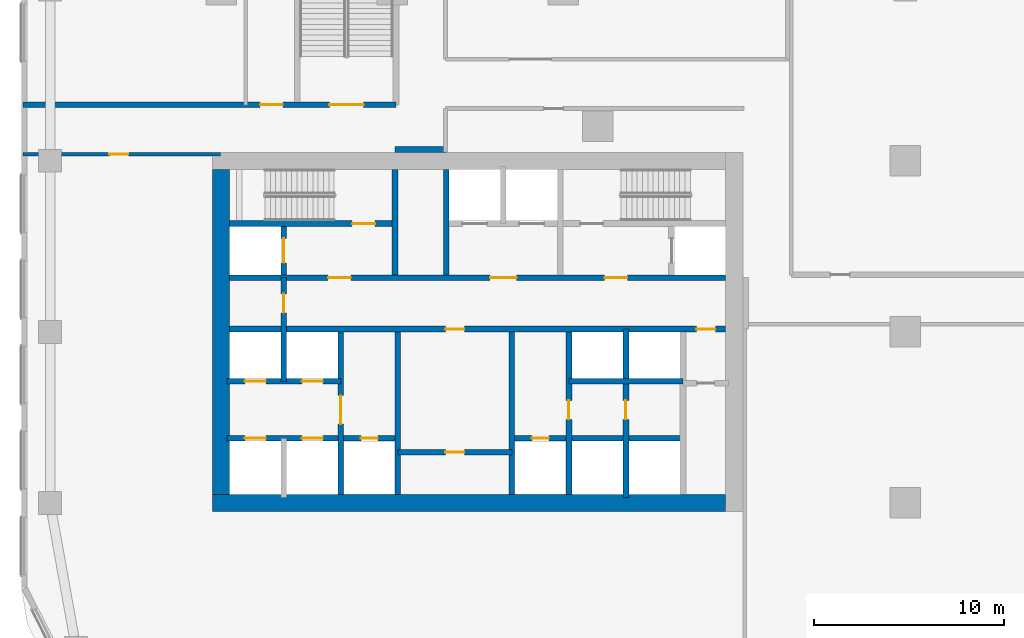
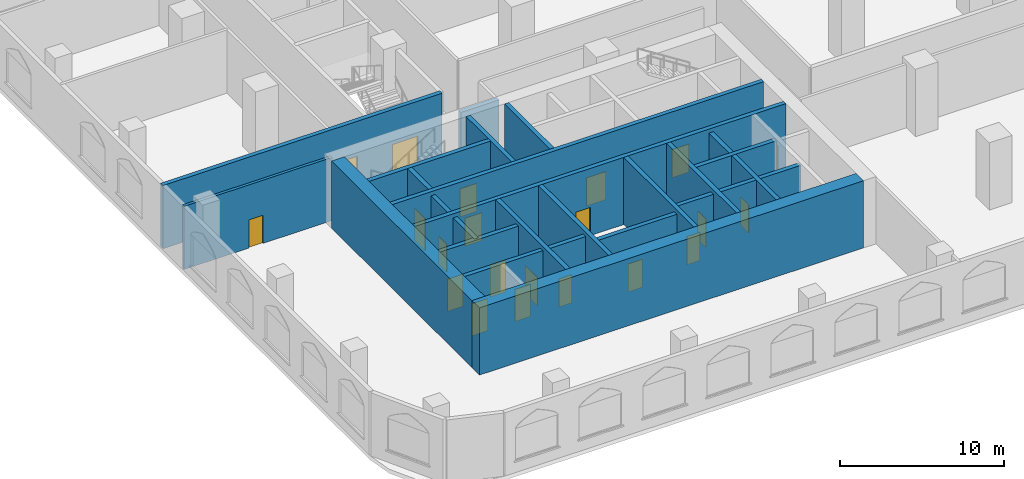
# One storey, part 3 of 31: 22 walls, 21 doors, 21 openings.
"""IFC4 building model written with IfcOpenShell, lengths in metres."""

from ifc_helpers import new_model, si_unit, direction, frame, frame_2d, origin, place, context, subcontext, project, spatial, rectangle, extrude, material, layer, layer_set, type_object, element, fill, save


model = new_model("IFC4")

# Units and contexts
model_context = context("Model", 3, precision=1e-05, world=origin(), true_north=direction((0.0, 1.0)))
body_context = subcontext(model_context, "Body", "Model", "MODEL_VIEW")
ifc_project = project(units=[si_unit("LENGTHUNIT", "METRE"), si_unit("AREAUNIT", "SQUARE_METRE"), si_unit("VOLUMEUNIT", "CUBIC_METRE"), si_unit("PLANEANGLEUNIT", "RADIAN"), si_unit("MASSUNIT", "GRAM", prefix="KILO")], contexts=[model_context])

# Site, building, storey
site_placement = place(None, origin())
site = spatial("IfcSite", under=ifc_project, at=site_placement, CompositionType="ELEMENT")
building_placement = place(site_placement, origin())
building = spatial("IfcBuilding", under=site, at=building_placement, Name="Ogive Portal Towers", CompositionType="ELEMENT")
storey_placement = place(building_placement, frame((0.0, 0.0, 13.5)))
storey = spatial("IfcBuildingStorey", under=building, at=storey_placement, Name="L02", CompositionType="ELEMENT", Elevation=13.5)

# Wall, opening, door
ifc_material_1 = material(Name="Concrete C60/75", Category="concrete")
ifc_layer_1 = layer(ifc_material_1, 0.300048828125)
ifc_layer_set_1 = layer_set([ifc_layer_1], Name="CORE WALL 300 C60")
wall_type_1 = type_object("IfcWallType", Name="CORE WALL 300 C60", PredefinedType="SHEAR", material=ifc_layer_set_1)
wall_1_placement = place(storey_placement, frame((37.800048828125, 21.949951171875, 0.0), z_axis=(0.0, 0.0, 1.0), x_axis=(0.0, 1.0, 0.0)))
wall_1 = element("IfcWall", 1, at=wall_1_placement, inside=storey, type_object=wall_type_1, Name="Core wall X1 L02", PredefinedType="SHEAR", context=body_context, shape_type="SweptSolid", body=[
    extrude(rectangle(XDim=8.550048828125, YDim=0.300048828125, at=frame_2d((4.27490234375, 0.0))), origin(), (0.0, 0.0, 1.0), 5.0),
])
opening_1_placement = place(wall_1_placement, frame((3.699951171875, 0.0, 0.0)))
opening_1 = element("IfcOpeningElement", 2, at=opening_1_placement, cuts=wall_1, Name="Opening D104-001", PredefinedType="OPENING", context=body_context, shape_type="SweptSolid", body=[
    extrude(rectangle(XDim=1.5, YDim=2.10009765625, at=frame_2d((0.75, 1.050048828125))), frame((0.0, 0.16015625, 0.0), z_axis=(0.0, -1.0, 0.0), x_axis=(1.0, 0.0, 0.0)), (0.0, 0.0, 1.0), 0.320068359375),
])
ifc_material_2 = material(Name="Steel fire door", Category="steel")
door_type_1 = type_object("IfcDoorType", Name="DT-SWING-1500x2100-FD90S", OperationType="SINGLE_SWING_LEFT", PredefinedType="DOOR", material=ifc_material_2)
door_1_placement = place(opening_1_placement, origin())
door_1 = element("IfcDoor", 3, at=door_1_placement, inside=storey, type_object=door_type_1, Name="Door D104-001", OperationType="SINGLE_SWING_LEFT", OverallHeight=2.10009765625, OverallWidth=1.5, PredefinedType="DOOR", context=body_context, shape_type="SweptSolid", body=[
    extrude(rectangle(XDim=1.5, YDim=2.10009765625, at=frame_2d((0.75, 1.050048828125))), frame((0.0, 0.02490234375, 0.0), z_axis=(0.0, -1.0, 0.0), x_axis=(1.0, 0.0, 0.0)), (0.0, 0.0, 1.0), 0.050048828125),
])
fill(opening_1, door_1)

# Walls
for number, where, z_axis, x_axis, name in (
    (4, (40.800048828125, 21.949951171875, 0.0), (0.0, 0.0, 1.0), (0.0, 1.0, 0.0), "Core wall X2 L02"),
    (5, (46.800048828125, 21.949951171875, 0.0), (0.0, 0.0, 1.0), (0.0, 1.0, 0.0), "Core wall X3 L02"),
):
    element("IfcWall", number, at=place(storey_placement, frame(where, z_axis=z_axis, x_axis=x_axis)), inside=storey, type_object=wall_type_1, Name=name, PredefinedType="SHEAR", context=body_context, shape_type="SweptSolid", body=[
        extrude(rectangle(XDim=8.550048828125, YDim=0.300048828125, at=frame_2d((4.27490234375, 0.0))), origin(), (0.0, 0.0, 1.0), 5.0),
    ])

# Wall, opening, door
wall_2_placement = place(storey_placement, frame((49.800048828125, 21.949951171875, 0.0), z_axis=(0.0, 0.0, 1.0), x_axis=(0.0, 1.0, 0.0)))
wall_2 = element("IfcWall", 6, at=wall_2_placement, inside=storey, type_object=wall_type_1, Name="Core wall X4 L02", PredefinedType="SHEAR", context=body_context, shape_type="SweptSolid", body=[
    extrude(rectangle(XDim=8.550048828125, YDim=0.300048828125, at=frame_2d((4.27490234375, 0.0))), origin(), (0.0, 0.0, 1.0), 5.0),
])
opening_2_placement = place(wall_2_placement, frame((3.949951171875, 0.0, 0.0)))
opening_2 = element("IfcOpeningElement", 7, at=opening_2_placement, cuts=wall_2, Name="Opening D104-021", PredefinedType="OPENING", context=body_context, shape_type="SweptSolid", body=[
    extrude(rectangle(XDim=1.0, YDim=2.10009765625, at=frame_2d((0.5, 1.050048828125))), frame((0.0, 0.16015625, 0.0), z_axis=(0.0, -1.0, 0.0), x_axis=(1.0, 0.0, 0.0)), (0.0, 0.0, 1.0), 0.320068359375),
])
door_type_2 = type_object("IfcDoorType", Name="DT-SWING-1000x2100-FD90S", OperationType="SINGLE_SWING_LEFT", PredefinedType="DOOR", material=ifc_material_2)
door_2_placement = place(opening_2_placement, origin())
door_2 = element("IfcDoor", 8, at=door_2_placement, inside=storey, type_object=door_type_2, Name="Door D104-021", OperationType="SINGLE_SWING_LEFT", OverallHeight=2.10009765625, OverallWidth=1.0, PredefinedType="DOOR", context=body_context, shape_type="SweptSolid", body=[
    extrude(rectangle(XDim=1.0, YDim=2.10009765625, at=frame_2d((0.5, 1.050048828125))), frame((0.0, 0.02490234375, 0.0), z_axis=(0.0, -1.0, 0.0), x_axis=(1.0, 0.0, 0.0)), (0.0, 0.0, 1.0), 0.050048828125),
])
fill(opening_2, door_2)

# Wall, openings, doors
wall_3_placement = place(storey_placement, frame((31.949951171875, 30.64990234375, 0.0), z_axis=(0.0, 0.0, 1.0), x_axis=(1.0, 0.0, 0.0)))
wall_3 = element("IfcWall", 9, at=wall_3_placement, inside=storey, type_object=wall_type_1, Name="Core wall Y1 L02", PredefinedType="SHEAR", context=body_context, shape_type="SweptSolid", body=[
    extrude(rectangle(XDim=26.10009765625, YDim=0.300048828125, at=frame_2d((13.050048828125, 0.0))), origin(), (0.0, 0.0, 1.0), 5.0),
])
opening_3_placement = place(wall_3_placement, frame((24.550048828125, 0.0, 0.0)))
opening_3 = element("IfcOpeningElement", 10, at=opening_3_placement, cuts=wall_3, Name="Opening D104-009", PredefinedType="OPENING", context=body_context, shape_type="SweptSolid", body=[
    extrude(rectangle(XDim=1.0, YDim=2.10009765625, at=frame_2d((0.5, 1.050048828125))), frame((0.0, 0.16015625, 0.0), z_axis=(0.0, -1.0, 0.0), x_axis=(1.0, 0.0, 0.0)), (0.0, 0.0, 1.0), 0.320068359375),
])
opening_4_placement = place(wall_3_placement, frame((11.35009765625, 0.0, 0.0)))
opening_4 = element("IfcOpeningElement", 11, at=opening_4_placement, cuts=wall_3, Name="Opening D104-019", PredefinedType="OPENING", context=body_context, shape_type="SweptSolid", body=[
    extrude(rectangle(XDim=1.0, YDim=2.10009765625, at=frame_2d((0.5, 1.050048828125))), frame((0.0, 0.16015625, 0.0), z_axis=(0.0, -1.0, 0.0), x_axis=(1.0, 0.0, 0.0)), (0.0, 0.0, 1.0), 0.320068359375),
])
door_3_placement = place(opening_3_placement, origin())
door_3 = element("IfcDoor", 12, at=door_3_placement, inside=storey, type_object=door_type_2, Name="Door D104-009", OperationType="SINGLE_SWING_LEFT", OverallHeight=2.10009765625, OverallWidth=1.0, PredefinedType="DOOR", context=body_context, shape_type="SweptSolid", body=[
    extrude(rectangle(XDim=1.0, YDim=2.10009765625, at=frame_2d((0.5, 1.050048828125))), frame((0.0, 0.02490234375, 0.0), z_axis=(0.0, -1.0, 0.0), x_axis=(1.0, 0.0, 0.0)), (0.0, 0.0, 1.0), 0.050048828125),
])
fill(opening_3, door_3)
door_4_placement = place(opening_4_placement, origin())
door_4 = element("IfcDoor", 13, at=door_4_placement, inside=storey, type_object=door_type_2, Name="Door D104-019", OperationType="SINGLE_SWING_LEFT", OverallHeight=2.10009765625, OverallWidth=1.0, PredefinedType="DOOR", context=body_context, shape_type="SweptSolid", body=[
    extrude(rectangle(XDim=1.0, YDim=2.10009765625, at=frame_2d((0.5, 1.050048828125))), frame((0.0, 0.02490234375, 0.0), z_axis=(0.0, -1.0, 0.0), x_axis=(1.0, 0.0, 0.0)), (0.0, 0.0, 1.0), 0.050048828125),
])
fill(opening_4, door_4)

wall_4_placement = place(storey_placement, frame((31.949951171875, 33.35009765625, 0.0), z_axis=(0.0, 0.0, 1.0), x_axis=(1.0, 0.0, 0.0)))
wall_4 = element("IfcWall", 14, at=wall_4_placement, inside=storey, type_object=wall_type_1, Name="Core wall Y2 L02", PredefinedType="SHEAR", context=body_context, shape_type="SweptSolid", body=[
    extrude(rectangle(XDim=26.10009765625, YDim=0.300048828125, at=frame_2d((13.050048828125, 0.0))), origin(), (0.0, 0.0, 1.0), 5.0),
])
opening_5_placement = place(wall_4_placement, frame((13.699951171875, 0.0, 0.0)))
opening_5 = element("IfcOpeningElement", 15, at=opening_5_placement, cuts=wall_4, Name="Opening D104-002", PredefinedType="OPENING", context=body_context, shape_type="SweptSolid", body=[
    extrude(rectangle(XDim=1.39990234375, YDim=2.10009765625, at=frame_2d((0.699951171875, 1.050048828125))), frame((0.0, 0.16015625, 0.0), z_axis=(0.0, -1.0, 0.0), x_axis=(1.0, 0.0, 0.0)), (0.0, 0.0, 1.0), 0.320068359375),
])
opening_6_placement = place(wall_4_placement, frame((5.175048828125, 0.0, 0.0)))
opening_6 = element("IfcOpeningElement", 16, at=opening_6_placement, cuts=wall_4, Name="Opening D104-003", PredefinedType="OPENING", context=body_context, shape_type="SweptSolid", body=[
    extrude(rectangle(XDim=1.199951171875, YDim=2.10009765625, at=frame_2d((0.60009765625, 1.050048828125))), frame((0.0, 0.16015625, 0.0), z_axis=(0.0, -1.0, 0.0), x_axis=(1.0, 0.0, 0.0)), (0.0, 0.0, 1.0), 0.320068359375),
])
opening_7_placement = place(wall_4_placement, frame((19.72509765625, 0.0, 0.0)))
opening_7 = element("IfcOpeningElement", 17, at=opening_7_placement, cuts=wall_4, Name="Opening D104-004", PredefinedType="OPENING", context=body_context, shape_type="SweptSolid", body=[
    extrude(rectangle(XDim=1.199951171875, YDim=2.10009765625, at=frame_2d((0.60009765625, 1.050048828125))), frame((0.0, 0.16015625, 0.0), z_axis=(0.0, -1.0, 0.0), x_axis=(1.0, 0.0, 0.0)), (0.0, 0.0, 1.0), 0.320068359375),
])
door_type_3 = type_object("IfcDoorType", Name="DT-SWING-1200x2100-FD90S", OperationType="SINGLE_SWING_LEFT", PredefinedType="DOOR", material=ifc_material_2)
door_5_placement = place(opening_6_placement, origin())
door_5 = element("IfcDoor", 18, at=door_5_placement, inside=storey, type_object=door_type_3, Name="Door D104-003", OperationType="SINGLE_SWING_LEFT", OverallHeight=2.10009765625, OverallWidth=1.199951171875, PredefinedType="DOOR", context=body_context, shape_type="SweptSolid", body=[
    extrude(rectangle(XDim=1.199951171875, YDim=2.10009765625, at=frame_2d((0.60009765625, 1.050048828125))), frame((0.0, 0.02490234375, 0.0), z_axis=(0.0, -1.0, 0.0), x_axis=(1.0, 0.0, 0.0)), (0.0, 0.0, 1.0), 0.050048828125),
])
fill(opening_6, door_5)
door_6_placement = place(opening_7_placement, origin())
door_6 = element("IfcDoor", 19, at=door_6_placement, inside=storey, type_object=door_type_3, Name="Door D104-004", OperationType="SINGLE_SWING_RIGHT", OverallHeight=2.10009765625, OverallWidth=1.199951171875, PredefinedType="DOOR", context=body_context, shape_type="SweptSolid", body=[
    extrude(rectangle(XDim=1.199951171875, YDim=2.10009765625, at=frame_2d((0.60009765625, 1.050048828125))), frame((0.0, 0.02490234375, 0.0), z_axis=(0.0, -1.0, 0.0), x_axis=(1.0, 0.0, 0.0)), (0.0, 0.0, 1.0), 0.050048828125),
])
fill(opening_7, door_6)
door_type_4 = type_object("IfcDoorType", Name="DT-SWING-1400x2100-FD90S", OperationType="SINGLE_SWING_LEFT", PredefinedType="DOOR", material=ifc_material_2)
door_7_placement = place(opening_5_placement, origin())
door_7 = element("IfcDoor", 20, at=door_7_placement, inside=storey, type_object=door_type_4, Name="Door D104-002", OperationType="SINGLE_SWING_RIGHT", OverallHeight=2.10009765625, OverallWidth=1.39990234375, PredefinedType="DOOR", context=body_context, shape_type="SweptSolid", body=[
    extrude(rectangle(XDim=1.39990234375, YDim=2.10009765625, at=frame_2d((0.699951171875, 1.050048828125))), frame((0.0, 0.02490234375, 0.0), z_axis=(0.0, -1.0, 0.0), x_axis=(1.0, 0.0, 0.0)), (0.0, 0.0, 1.0), 0.050048828125),
])
fill(opening_5, door_7)

# Wall, opening, door
wall_5_placement = place(storey_placement, frame((31.949951171875, 36.199951171875, 0.0), z_axis=(0.0, 0.0, 1.0), x_axis=(1.0, 0.0, 0.0)))
wall_5 = element("IfcWall", 21, at=wall_5_placement, inside=storey, type_object=wall_type_1, Name="Core wall Y3a L02", PredefinedType="SHEAR", context=body_context, shape_type="SweptSolid", body=[
    extrude(rectangle(XDim=8.550048828125, YDim=0.300048828125, at=frame_2d((4.27490234375, 0.0))), origin(), (0.0, 0.0, 1.0), 5.0),
])
opening_8_placement = place(wall_5_placement, frame((6.449951171875, 0.0, 0.0)))
opening_8 = element("IfcOpeningElement", 22, at=opening_8_placement, cuts=wall_5, Name="Opening D104-005", PredefinedType="OPENING", context=body_context, shape_type="SweptSolid", body=[
    extrude(rectangle(XDim=1.199951171875, YDim=2.10009765625, at=frame_2d((0.60009765625, 1.050048828125))), frame((0.0, 0.16015625, 0.0), z_axis=(0.0, -1.0, 0.0), x_axis=(1.0, 0.0, 0.0)), (0.0, 0.0, 1.0), 0.320068359375),
])
door_8_placement = place(opening_8_placement, origin())
door_8 = element("IfcDoor", 23, at=door_8_placement, inside=storey, type_object=door_type_3, Name="Door D104-005", OperationType="SINGLE_SWING_RIGHT", OverallHeight=2.10009765625, OverallWidth=1.199951171875, PredefinedType="DOOR", context=body_context, shape_type="SweptSolid", body=[
    extrude(rectangle(XDim=1.199951171875, YDim=2.10009765625, at=frame_2d((0.60009765625, 1.050048828125))), frame((0.0, 0.02490234375, 0.0), z_axis=(0.0, -1.0, 0.0), x_axis=(1.0, 0.0, 0.0)), (0.0, 0.0, 1.0), 0.050048828125),
])
fill(opening_8, door_8)

# Walls
for number, where, z_axis, x_axis, name in (
    (24, (40.64990234375, 33.5, 0.0), (0.0, 0.0, 1.0), (0.0, 1.0, 0.0), "Core wall X6 L02"),
    (25, (43.35009765625, 33.5, 0.0), (0.0, 0.0, 1.0), (0.0, 1.0, 0.0), "Core wall X7 L02"),
):
    element("IfcWall", number, at=place(storey_placement, frame(where, z_axis=z_axis, x_axis=x_axis)), inside=storey, type_object=wall_type_1, Name=name, PredefinedType="SHEAR", context=body_context, shape_type="SweptSolid", body=[
        extrude(rectangle(XDim=5.550048828125, YDim=0.300048828125, at=frame_2d((2.77490234375, 0.0))), origin(), (0.0, 0.0, 1.0), 5.0),
    ])

# Wall, opening, door
wall_6_placement = place(storey_placement, frame((34.800048828125, 33.5, 0.0), z_axis=(0.0, 0.0, 1.0), x_axis=(0.0, 1.0, 0.0)))
wall_6 = element("IfcWall", 26, at=wall_6_placement, inside=storey, type_object=wall_type_1, Name="Core wall X8 L02", PredefinedType="SHEAR", context=body_context, shape_type="SweptSolid", body=[
    extrude(rectangle(XDim=2.550048828125, YDim=0.300048828125, at=frame_2d((1.27490234375, 0.0))), origin(), (0.0, 0.0, 1.0), 5.0),
])
opening_9_placement = place(wall_6_placement, frame((0.625, 0.0, 0.0)))
opening_9 = element("IfcOpeningElement", 27, at=opening_9_placement, cuts=wall_6, Name="Opening D104-017", PredefinedType="OPENING", context=body_context, shape_type="SweptSolid", body=[
    extrude(rectangle(XDim=1.300048828125, YDim=2.39990234375, at=frame_2d((0.64990234375, 1.199951171875))), frame((0.0, 0.16015625, 0.0), z_axis=(0.0, -1.0, 0.0), x_axis=(1.0, 0.0, 0.0)), (0.0, 0.0, 1.0), 0.320068359375),
])
ifc_material_3 = material(Name="Stainless steel", Category="steel")
door_type_5 = type_object("IfcDoorType", Name="DT-LD-1300x2400", OperationType="SLIDING_TO_LEFT", PredefinedType="DOOR", material=ifc_material_3)
door_9_placement = place(opening_9_placement, origin())
door_9 = element("IfcDoor", 28, at=door_9_placement, inside=storey, type_object=door_type_5, Name="Door D104-017", OperationType="SLIDING_TO_LEFT", OverallHeight=2.39990234375, OverallWidth=1.300048828125, PredefinedType="DOOR", context=body_context, shape_type="SweptSolid", body=[
    extrude(rectangle(XDim=1.300048828125, YDim=2.39990234375, at=frame_2d((0.64990234375, 1.199951171875))), frame((0.0, 0.02490234375, 0.0), z_axis=(0.0, -1.0, 0.0), x_axis=(1.0, 0.0, 0.0)), (0.0, 0.0, 1.0), 0.050048828125),
])
fill(opening_9, door_9)

# Walls
ifc_layer_2 = layer(ifc_material_1, 0.89990234375)
ifc_layer_set_2 = layer_set([ifc_layer_2], Name="CORE WALL 900 C60")
wall_type_2 = type_object("IfcWallType", Name="CORE WALL 900 C60", PredefinedType="SHEAR", material=ifc_layer_set_2)
wall_7_placement = place(storey_placement, frame((31.5, 21.949951171875, 0.0), z_axis=(0.0, 0.0, 1.0), x_axis=(0.0, 1.0, 0.0)))
element("IfcWall", 29, at=wall_7_placement, inside=storey, type_object=wall_type_2, Name="Core wall W L02", PredefinedType="SHEAR", context=body_context, shape_type="SweptSolid", body=[
    extrude(rectangle(XDim=17.10009765625, YDim=0.89990234375, at=frame_2d((8.550048828125, 0.0))), origin(), (0.0, 0.0, 1.0), 5.0),
])
wall_8_placement = place(storey_placement, frame((31.050048828125, 21.5, 0.0), z_axis=(0.0, 0.0, 1.0), x_axis=(1.0, 0.0, 0.0)))
element("IfcWall", 30, at=wall_8_placement, inside=storey, type_object=wall_type_2, Name="Core wall S L02", PredefinedType="SHEAR", context=body_context, shape_type="SweptSolid", body=[
    extrude(rectangle(XDim=27.0, YDim=0.89990234375, at=frame_2d((13.5, 0.0))), origin(), (0.0, 0.0, 1.0), 5.0),
])

# Wall, openings, doors
ifc_material_4 = material(Name="Concrete C50/60", Category="concrete")
ifc_layer_3 = layer(ifc_material_4, 0.300048828125)
ifc_layer_set_3 = layer_set([ifc_layer_3], Name="STAIR WALL 300 C50")
wall_type_3 = type_object("IfcWallType", Name="STAIR WALL 300 C50", PredefinedType="SHEAR", material=ifc_layer_set_3)
wall_9_placement = place(storey_placement, frame((21.070068359375, 42.449951171875, 0.0), z_axis=(0.0, 0.0, 1.0), x_axis=(1.0, 0.0, 0.0)))
wall_9 = element("IfcWall", 31, at=wall_9_placement, inside=storey, type_object=wall_type_3, Name="Stair wall ST-P2 L02", PredefinedType="SHEAR", context=body_context, shape_type="SweptSolid", body=[
    extrude(rectangle(XDim=19.6298828125, YDim=0.300048828125, at=frame_2d((9.81494140625, 0.0))), origin(), (0.0, 0.0, 1.0), 4.699951171875),
])
opening_10_placement = place(wall_9_placement, frame((16.1298828125, 0.0, 0.0)))
opening_10 = element("IfcOpeningElement", 32, at=opening_10_placement, cuts=wall_9, Name="Opening P02-004", PredefinedType="OPENING", context=body_context, shape_type="SweptSolid", body=[
    extrude(rectangle(XDim=1.800048828125, YDim=2.10009765625, at=frame_2d((0.89990234375, 1.050048828125))), frame((0.0, 0.16015625, 0.0), z_axis=(0.0, -1.0, 0.0), x_axis=(1.0, 0.0, 0.0)), (0.0, 0.0, 1.0), 0.320068359375),
])
opening_11_placement = place(wall_9_placement, frame((12.47998046875, 0.0, 0.0)))
opening_11 = element("IfcOpeningElement", 33, at=opening_11_placement, cuts=wall_9, Name="Opening P02-005", PredefinedType="OPENING", context=body_context, shape_type="SweptSolid", body=[
    extrude(rectangle(XDim=1.199951171875, YDim=2.10009765625, at=frame_2d((0.60009765625, 1.050048828125))), frame((0.0, 0.16015625, 0.0), z_axis=(0.0, -1.0, 0.0), x_axis=(1.0, 0.0, 0.0)), (0.0, 0.0, 1.0), 0.320068359375),
])
door_10_placement = place(opening_11_placement, origin())
door_10 = element("IfcDoor", 34, at=door_10_placement, inside=storey, type_object=door_type_3, Name="Door P02-005", OperationType="SINGLE_SWING_LEFT", OverallHeight=2.10009765625, OverallWidth=1.199951171875, PredefinedType="DOOR", context=body_context, shape_type="SweptSolid", body=[
    extrude(rectangle(XDim=1.199951171875, YDim=2.10009765625, at=frame_2d((0.60009765625, 1.050048828125))), frame((0.0, 0.02490234375, 0.0), z_axis=(0.0, -1.0, 0.0), x_axis=(1.0, 0.0, 0.0)), (0.0, 0.0, 1.0), 0.050048828125),
])
fill(opening_11, door_10)
door_type_6 = type_object("IfcDoorType", Name="DT-SWING-1800x2100-FD90S", OperationType="SINGLE_SWING_LEFT", PredefinedType="DOOR", material=ifc_material_2)
door_11_placement = place(opening_10_placement, origin())
door_11 = element("IfcDoor", 35, at=door_11_placement, inside=storey, type_object=door_type_6, Name="Door P02-004", OperationType="SINGLE_SWING_RIGHT", OverallHeight=2.10009765625, OverallWidth=1.800048828125, PredefinedType="DOOR", context=body_context, shape_type="SweptSolid", body=[
    extrude(rectangle(XDim=1.800048828125, YDim=2.10009765625, at=frame_2d((0.89990234375, 1.050048828125))), frame((0.0, 0.02490234375, 0.0), z_axis=(0.0, -1.0, 0.0), x_axis=(1.0, 0.0, 0.0)), (0.0, 0.0, 1.0), 0.050048828125),
])
fill(opening_10, door_11)

# Wall, opening, door
ifc_material_5 = material(Name="Gypsum board partition on steel studs", Category="steel")
ifc_layer_4 = layer(ifc_material_5, 0.199951171875)
ifc_layer_set_4 = layer_set([ifc_layer_4], Name="WT-PART-200-EI 60")
wall_type_4 = type_object("IfcWallType", Name="WT-PART-200-EI 60", PredefinedType="PARTITIONING", material=ifc_layer_set_4)
wall_10_placement = place(storey_placement, frame((21.070068359375, 39.85009765625, 0.0), z_axis=(0.0, 0.0, 1.0), x_axis=(1.0, 0.0, 0.0)))
wall_10 = element("IfcWall", 36, at=wall_10_placement, inside=storey, type_object=wall_type_4, Name="Wall L02:w020", PredefinedType="PARTITIONING", context=body_context, shape_type="SweptSolid", body=[
    extrude(rectangle(XDim=10.409912109375, YDim=0.199951171875, at=frame_2d((5.205078125, 0.0))), origin(), (0.0, 0.0, 1.0), 4.699951171875),
])
opening_12_placement = place(wall_10_placement, frame((4.556884765625, 0.0, 0.0)))
opening_12 = element("IfcOpeningElement", 37, at=opening_12_placement, cuts=wall_10, Name="Opening P02-017", PredefinedType="OPENING", context=body_context, shape_type="SweptSolid", body=[
    extrude(rectangle(XDim=1.0, YDim=2.10009765625, at=frame_2d((0.5, 1.050048828125))), frame((0.0, 0.10986328125, 0.0), z_axis=(0.0, -1.0, 0.0), x_axis=(1.0, 0.0, 0.0)), (0.0, 0.0, 1.0), 0.219970703125),
])
door_type_7 = type_object("IfcDoorType", Name="DT-SWING-1000x2100-FD60S", OperationType="SINGLE_SWING_LEFT", PredefinedType="DOOR", material=ifc_material_2)
door_12_placement = place(opening_12_placement, origin())
door_12 = element("IfcDoor", 38, at=door_12_placement, inside=storey, type_object=door_type_7, Name="Door P02-017", OperationType="SINGLE_SWING_LEFT", OverallHeight=2.10009765625, OverallWidth=1.0, PredefinedType="DOOR", context=body_context, shape_type="SweptSolid", body=[
    extrude(rectangle(XDim=1.0, YDim=2.10009765625, at=frame_2d((0.5, 1.050048828125))), frame((0.0, 0.02490234375, 0.0), z_axis=(0.0, -1.0, 0.0), x_axis=(1.0, 0.0, 0.0)), (0.0, 0.0, 1.0), 0.050048828125),
])
fill(opening_12, door_12)

ifc_layer_5 = layer(ifc_material_5, 0.300048828125)
ifc_layer_set_5 = layer_set([ifc_layer_5], Name="WT-PART-300")
wall_type_5 = type_object("IfcWallType", Name="WT-PART-300", PredefinedType="PARTITIONING", material=ifc_layer_set_5)
wall_11_placement = place(storey_placement, frame((40.800048828125, 24.173095703125, 0.0), z_axis=(0.0, 0.0, 1.0), x_axis=(1.0, 0.0, 0.0)))
wall_11 = element("IfcWall", 39, at=wall_11_placement, inside=storey, type_object=wall_type_5, Name="Wall pw:001:L02", PredefinedType="PARTITIONING", context=body_context, shape_type="SweptSolid", body=[
    extrude(rectangle(XDim=6.0, YDim=0.300048828125, at=frame_2d((3.0, 0.0))), origin(), (0.0, 0.0, 1.0), 4.699951171875),
])
opening_13_placement = place(wall_11_placement, frame((2.5, 0.0, 0.0)))
opening_13 = element("IfcOpeningElement", 40, at=opening_13_placement, cuts=wall_11, Name="Opening D104-020", PredefinedType="OPENING", context=body_context, shape_type="SweptSolid", body=[
    extrude(rectangle(XDim=1.0, YDim=2.10009765625, at=frame_2d((0.5, 1.050048828125))), frame((0.0, 0.16015625, 0.0), z_axis=(0.0, -1.0, 0.0), x_axis=(1.0, 0.0, 0.0)), (0.0, 0.0, 1.0), 0.320068359375),
])
door_13_placement = place(opening_13_placement, origin())
door_13 = element("IfcDoor", 41, at=door_13_placement, inside=storey, type_object=door_type_7, Name="Riser access door D104-020", OperationType="SINGLE_SWING_RIGHT", OverallHeight=2.10009765625, OverallWidth=1.0, PredefinedType="DOOR", context=body_context, shape_type="SweptSolid", body=[
    extrude(rectangle(XDim=1.0, YDim=2.10009765625, at=frame_2d((0.5, 1.050048828125))), frame((0.0, 0.02490234375, 0.0), z_axis=(0.0, -1.0, 0.0), x_axis=(1.0, 0.0, 0.0)), (0.0, 0.0, 1.0), 0.050048828125),
])
fill(opening_13, door_13)

# Wall
wall_12_placement = place(storey_placement, frame((40.64990234375, 40.10009765625, 0.0), z_axis=(0.0, 0.0, 1.0), x_axis=(1.0, 0.0, 0.0)))
element("IfcWall", 42, at=wall_12_placement, inside=storey, type_object=wall_type_5, Name="Wall pw:009:L02", PredefinedType="PARTITIONING", context=body_context, shape_type="SweptSolid", body=[
    extrude(rectangle(XDim=2.7001953125, YDim=0.300048828125, at=frame_2d((1.35009765625, 0.0))), origin(), (0.0, 0.0, 1.0), 4.699951171875),
])

# Wall, openings, doors
ifc_material_6 = material(Name="Concrete C40/50", Category="concrete")
ifc_layer_6 = layer(ifc_material_6, 0.300048828125)
ifc_layer_set_6 = layer_set([ifc_layer_6], Name="WT-SHAFT-300")
wall_type_6 = type_object("IfcWallType", Name="WT-SHAFT-300", PredefinedType="SOLIDWALL", material=ifc_layer_set_6)
wall_13_placement = place(storey_placement, frame((31.800048828125, 24.89990234375, 0.0), z_axis=(0.0, 0.0, 1.0), x_axis=(1.0, 0.0, 0.0)))
wall_13 = element("IfcWall", 43, at=wall_13_placement, inside=storey, type_object=wall_type_6, Name="Wall pw:002:L02", PredefinedType="SOLIDWALL", context=body_context, shape_type="SweptSolid", body=[
    extrude(rectangle(XDim=9.0, YDim=0.300048828125, at=frame_2d((4.5, 0.0))), origin(), (0.0, 0.0, 1.0), 4.699951171875),
])
opening_14_placement = place(wall_13_placement, frame((7.050048828125, 0.0, 0.0)))
opening_14 = element("IfcOpeningElement", 44, at=opening_14_placement, cuts=wall_13, Name="Opening D104-007", PredefinedType="OPENING", context=body_context, shape_type="SweptSolid", body=[
    extrude(rectangle(XDim=0.89990234375, YDim=2.10009765625, at=frame_2d((0.449951171875, 1.050048828125))), frame((0.0, 0.16015625, 0.0), z_axis=(0.0, -1.0, 0.0), x_axis=(1.0, 0.0, 0.0)), (0.0, 0.0, 1.0), 0.320068359375),
])
opening_15_placement = place(wall_13_placement, frame((0.949951171875, 0.0, 0.0)))
opening_15 = element("IfcOpeningElement", 45, at=opening_15_placement, cuts=wall_13, Name="Opening D104-011", PredefinedType="OPENING", context=body_context, shape_type="SweptSolid", body=[
    extrude(rectangle(XDim=1.10009765625, YDim=2.39990234375, at=frame_2d((0.550048828125, 1.199951171875))), frame((0.0, 0.16015625, 0.0), z_axis=(0.0, -1.0, 0.0), x_axis=(1.0, 0.0, 0.0)), (0.0, 0.0, 1.0), 0.320068359375),
])
opening_16_placement = place(wall_13_placement, frame((3.949951171875, 0.0, 0.0)))
opening_16 = element("IfcOpeningElement", 46, at=opening_16_placement, cuts=wall_13, Name="Opening D104-012", PredefinedType="OPENING", context=body_context, shape_type="SweptSolid", body=[
    extrude(rectangle(XDim=1.10009765625, YDim=2.39990234375, at=frame_2d((0.550048828125, 1.199951171875))), frame((0.0, 0.16015625, 0.0), z_axis=(0.0, -1.0, 0.0), x_axis=(1.0, 0.0, 0.0)), (0.0, 0.0, 1.0), 0.320068359375),
])
door_type_8 = type_object("IfcDoorType", Name="DT-LD-1100x2400", OperationType="SLIDING_TO_LEFT", PredefinedType="DOOR", material=ifc_material_3)
door_14_placement = place(opening_15_placement, origin())
door_14 = element("IfcDoor", 47, at=door_14_placement, inside=storey, type_object=door_type_8, Name="Door D104-011", OperationType="SLIDING_TO_LEFT", OverallHeight=2.39990234375, OverallWidth=1.10009765625, PredefinedType="DOOR", context=body_context, shape_type="SweptSolid", body=[
    extrude(rectangle(XDim=1.10009765625, YDim=2.39990234375, at=frame_2d((0.550048828125, 1.199951171875))), frame((0.0, 0.02490234375, 0.0), z_axis=(0.0, -1.0, 0.0), x_axis=(1.0, 0.0, 0.0)), (0.0, 0.0, 1.0), 0.050048828125),
])
fill(opening_15, door_14)
door_15_placement = place(opening_16_placement, origin())
door_15 = element("IfcDoor", 48, at=door_15_placement, inside=storey, type_object=door_type_8, Name="Door D104-012", OperationType="SLIDING_TO_LEFT", OverallHeight=2.39990234375, OverallWidth=1.10009765625, PredefinedType="DOOR", context=body_context, shape_type="SweptSolid", body=[
    extrude(rectangle(XDim=1.10009765625, YDim=2.39990234375, at=frame_2d((0.550048828125, 1.199951171875))), frame((0.0, 0.02490234375, 0.0), z_axis=(0.0, -1.0, 0.0), x_axis=(1.0, 0.0, 0.0)), (0.0, 0.0, 1.0), 0.050048828125),
])
fill(opening_16, door_15)
door_type_9 = type_object("IfcDoorType", Name="DT-SWING-900x2100-FD90S", OperationType="SINGLE_SWING_LEFT", PredefinedType="DOOR", material=ifc_material_2)
door_16_placement = place(opening_14_placement, origin())
door_16 = element("IfcDoor", 49, at=door_16_placement, inside=storey, type_object=door_type_9, Name="Riser access door D104-007", OperationType="SINGLE_SWING_LEFT", OverallHeight=2.10009765625, OverallWidth=0.89990234375, PredefinedType="DOOR", context=body_context, shape_type="SweptSolid", body=[
    extrude(rectangle(XDim=0.89990234375, YDim=2.10009765625, at=frame_2d((0.449951171875, 1.050048828125))), frame((0.0, 0.02490234375, 0.0), z_axis=(0.0, -1.0, 0.0), x_axis=(1.0, 0.0, 0.0)), (0.0, 0.0, 1.0), 0.050048828125),
])
fill(opening_14, door_16)

# Wall, opening, door
wall_14_placement = place(storey_placement, frame((46.800048828125, 24.89990234375, 0.0), z_axis=(0.0, 0.0, 1.0), x_axis=(1.0, 0.0, 0.0)))
wall_14 = element("IfcWall", 50, at=wall_14_placement, inside=storey, type_object=wall_type_6, Name="Wall pw:003:L02", PredefinedType="SOLIDWALL", context=body_context, shape_type="SweptSolid", body=[
    extrude(rectangle(XDim=9.0, YDim=0.300048828125, at=frame_2d((4.5, 0.0))), origin(), (0.0, 0.0, 1.0), 4.699951171875),
])
opening_17_placement = place(wall_14_placement, frame((1.050048828125, 0.0, 0.0)))
opening_17 = element("IfcOpeningElement", 51, at=opening_17_placement, cuts=wall_14, Name="Opening D104-008", PredefinedType="OPENING", context=body_context, shape_type="SweptSolid", body=[
    extrude(rectangle(XDim=0.89990234375, YDim=2.10009765625, at=frame_2d((0.449951171875, 1.050048828125))), frame((0.0, 0.16015625, 0.0), z_axis=(0.0, -1.0, 0.0), x_axis=(1.0, 0.0, 0.0)), (0.0, 0.0, 1.0), 0.320068359375),
])
door_17_placement = place(opening_17_placement, origin())
door_17 = element("IfcDoor", 52, at=door_17_placement, inside=storey, type_object=door_type_9, Name="Riser access door D104-008", OperationType="SINGLE_SWING_RIGHT", OverallHeight=2.10009765625, OverallWidth=0.89990234375, PredefinedType="DOOR", context=body_context, shape_type="SweptSolid", body=[
    extrude(rectangle(XDim=0.89990234375, YDim=2.10009765625, at=frame_2d((0.449951171875, 1.050048828125))), frame((0.0, 0.02490234375, 0.0), z_axis=(0.0, -1.0, 0.0), x_axis=(1.0, 0.0, 0.0)), (0.0, 0.0, 1.0), 0.050048828125),
])
fill(opening_17, door_17)

# Wall, openings, doors
wall_15_placement = place(storey_placement, frame((31.800048828125, 27.89990234375, 0.0), z_axis=(0.0, 0.0, 1.0), x_axis=(1.0, 0.0, 0.0)))
wall_15 = element("IfcWall", 53, at=wall_15_placement, inside=storey, type_object=wall_type_6, Name="Wall pw:005:L02", PredefinedType="SOLIDWALL", context=body_context, shape_type="SweptSolid", body=[
    extrude(rectangle(XDim=6.0, YDim=0.300048828125, at=frame_2d((3.0, 0.0))), origin(), (0.0, 0.0, 1.0), 4.699951171875),
])
opening_18_placement = place(wall_15_placement, frame((0.949951171875, 0.0, 0.0)))
opening_18 = element("IfcOpeningElement", 54, at=opening_18_placement, cuts=wall_15, Name="Opening D104-013", PredefinedType="OPENING", context=body_context, shape_type="SweptSolid", body=[
    extrude(rectangle(XDim=1.10009765625, YDim=2.39990234375, at=frame_2d((0.550048828125, 1.199951171875))), frame((0.0, 0.16015625, 0.0), z_axis=(0.0, -1.0, 0.0), x_axis=(1.0, 0.0, 0.0)), (0.0, 0.0, 1.0), 0.320068359375),
])
opening_19_placement = place(wall_15_placement, frame((3.949951171875, 0.0, 0.0)))
opening_19 = element("IfcOpeningElement", 55, at=opening_19_placement, cuts=wall_15, Name="Opening D104-014", PredefinedType="OPENING", context=body_context, shape_type="SweptSolid", body=[
    extrude(rectangle(XDim=1.10009765625, YDim=2.39990234375, at=frame_2d((0.550048828125, 1.199951171875))), frame((0.0, 0.16015625, 0.0), z_axis=(0.0, -1.0, 0.0), x_axis=(1.0, 0.0, 0.0)), (0.0, 0.0, 1.0), 0.320068359375),
])
door_18_placement = place(opening_18_placement, origin())
door_18 = element("IfcDoor", 56, at=door_18_placement, inside=storey, type_object=door_type_8, Name="Door D104-013", OperationType="SLIDING_TO_LEFT", OverallHeight=2.39990234375, OverallWidth=1.10009765625, PredefinedType="DOOR", context=body_context, shape_type="SweptSolid", body=[
    extrude(rectangle(XDim=1.10009765625, YDim=2.39990234375, at=frame_2d((0.550048828125, 1.199951171875))), frame((0.0, 0.02490234375, 0.0), z_axis=(0.0, -1.0, 0.0), x_axis=(1.0, 0.0, 0.0)), (0.0, 0.0, 1.0), 0.050048828125),
])
fill(opening_18, door_18)
door_19_placement = place(opening_19_placement, origin())
door_19 = element("IfcDoor", 57, at=door_19_placement, inside=storey, type_object=door_type_8, Name="Door D104-014", OperationType="SLIDING_TO_LEFT", OverallHeight=2.39990234375, OverallWidth=1.10009765625, PredefinedType="DOOR", context=body_context, shape_type="SweptSolid", body=[
    extrude(rectangle(XDim=1.10009765625, YDim=2.39990234375, at=frame_2d((0.550048828125, 1.199951171875))), frame((0.0, 0.02490234375, 0.0), z_axis=(0.0, -1.0, 0.0), x_axis=(1.0, 0.0, 0.0)), (0.0, 0.0, 1.0), 0.050048828125),
])
fill(opening_19, door_19)

# Wall
wall_16_placement = place(storey_placement, frame((49.800048828125, 27.89990234375, 0.0), z_axis=(0.0, 0.0, 1.0), x_axis=(1.0, 0.0, 0.0)))
element("IfcWall", 58, at=wall_16_placement, inside=storey, type_object=wall_type_6, Name="Wall pw:006:L02", PredefinedType="SOLIDWALL", context=body_context, shape_type="SweptSolid", body=[
    extrude(rectangle(XDim=6.0, YDim=0.300048828125, at=frame_2d((3.0, 0.0))), origin(), (0.0, 0.0, 1.0), 4.699951171875),
])

# Wall, opening, door
wall_17_placement = place(storey_placement, frame((34.800048828125, 27.89990234375, 0.0), z_axis=(0.0, 0.0, 1.0), x_axis=(0.0, 1.0, 0.0)))
wall_17 = element("IfcWall", 59, at=wall_17_placement, inside=storey, type_object=wall_type_6, Name="Wall pw:011:L02", PredefinedType="SOLIDWALL", context=body_context, shape_type="SweptSolid", body=[
    extrude(rectangle(XDim=5.4501953125, YDim=0.300048828125, at=frame_2d((2.72509765625, 0.0))), origin(), (0.0, 0.0, 1.0), 4.699951171875),
])
opening_20_placement = place(wall_17_placement, frame((3.60009765625, 0.0, 0.0)))
opening_20 = element("IfcOpeningElement", 60, at=opening_20_placement, cuts=wall_17, Name="Opening D104-023", PredefinedType="OPENING", context=body_context, shape_type="SweptSolid", body=[
    extrude(rectangle(XDim=1.0, YDim=2.10009765625, at=frame_2d((0.5, 1.050048828125))), frame((0.0, 0.16015625, 0.0), z_axis=(0.0, -1.0, 0.0), x_axis=(1.0, 0.0, 0.0)), (0.0, 0.0, 1.0), 0.320068359375),
])
door_20_placement = place(opening_20_placement, origin())
door_20 = element("IfcDoor", 61, at=door_20_placement, inside=storey, type_object=door_type_2, Name="Door D104-023", OperationType="SINGLE_SWING_LEFT", OverallHeight=2.10009765625, OverallWidth=1.0, PredefinedType="DOOR", context=body_context, shape_type="SweptSolid", body=[
    extrude(rectangle(XDim=1.0, YDim=2.10009765625, at=frame_2d((0.5, 1.050048828125))), frame((0.0, 0.02490234375, 0.0), z_axis=(0.0, -1.0, 0.0), x_axis=(1.0, 0.0, 0.0)), (0.0, 0.0, 1.0), 0.050048828125),
])
fill(opening_20, door_20)

wall_18_placement = place(storey_placement, frame((52.800048828125, 21.800048828125, 0.0), z_axis=(0.0, 0.0, 1.0), x_axis=(0.0, 1.0, 0.0)))
wall_18 = element("IfcWall", 62, at=wall_18_placement, inside=storey, type_object=wall_type_6, Name="Wall pw:015:L02", PredefinedType="SOLIDWALL", context=body_context, shape_type="SweptSolid", body=[
    extrude(rectangle(XDim=8.849853515625, YDim=0.300048828125, at=frame_2d((4.4248046875, 0.0))), origin(), (0.0, 0.0, 1.0), 4.699951171875),
])
opening_21_placement = place(wall_18_placement, frame((4.10009765625, 0.0, 0.0)))
opening_21 = element("IfcOpeningElement", 63, at=opening_21_placement, cuts=wall_18, Name="Opening D104-022", PredefinedType="OPENING", context=body_context, shape_type="SweptSolid", body=[
    extrude(rectangle(XDim=1.0, YDim=2.10009765625, at=frame_2d((0.5, 1.050048828125))), frame((0.0, 0.16015625, 0.0), z_axis=(0.0, -1.0, 0.0), x_axis=(1.0, 0.0, 0.0)), (0.0, 0.0, 1.0), 0.320068359375),
])
door_21_placement = place(opening_21_placement, origin())
door_21 = element("IfcDoor", 64, at=door_21_placement, inside=storey, type_object=door_type_2, Name="Door D104-022", OperationType="SINGLE_SWING_RIGHT", OverallHeight=2.10009765625, OverallWidth=1.0, PredefinedType="DOOR", context=body_context, shape_type="SweptSolid", body=[
    extrude(rectangle(XDim=1.0, YDim=2.10009765625, at=frame_2d((0.5, 1.050048828125))), frame((0.0, 0.02490234375, 0.0), z_axis=(0.0, -1.0, 0.0), x_axis=(1.0, 0.0, 0.0)), (0.0, 0.0, 1.0), 0.050048828125),
])
fill(opening_21, door_21)

save(model, "model.ifc")
